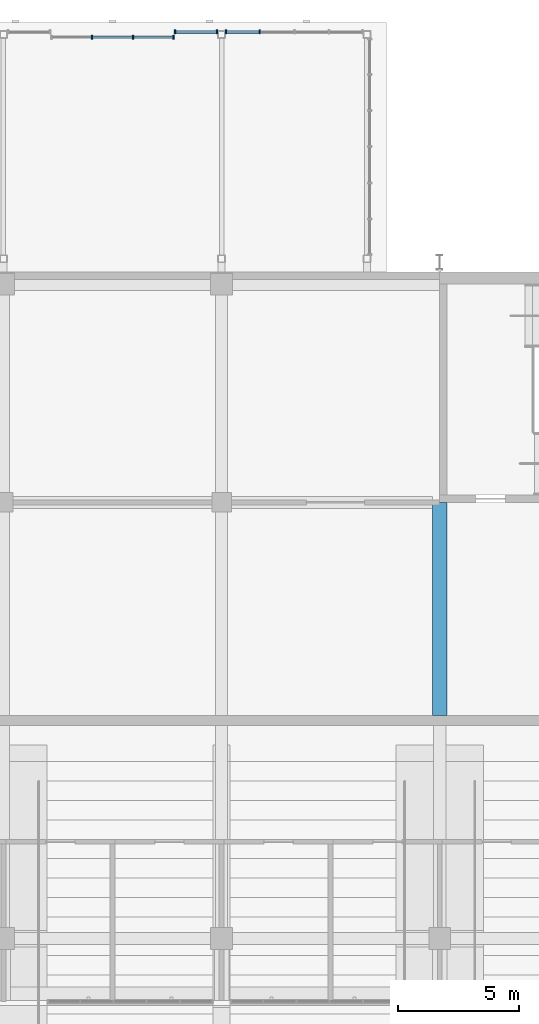
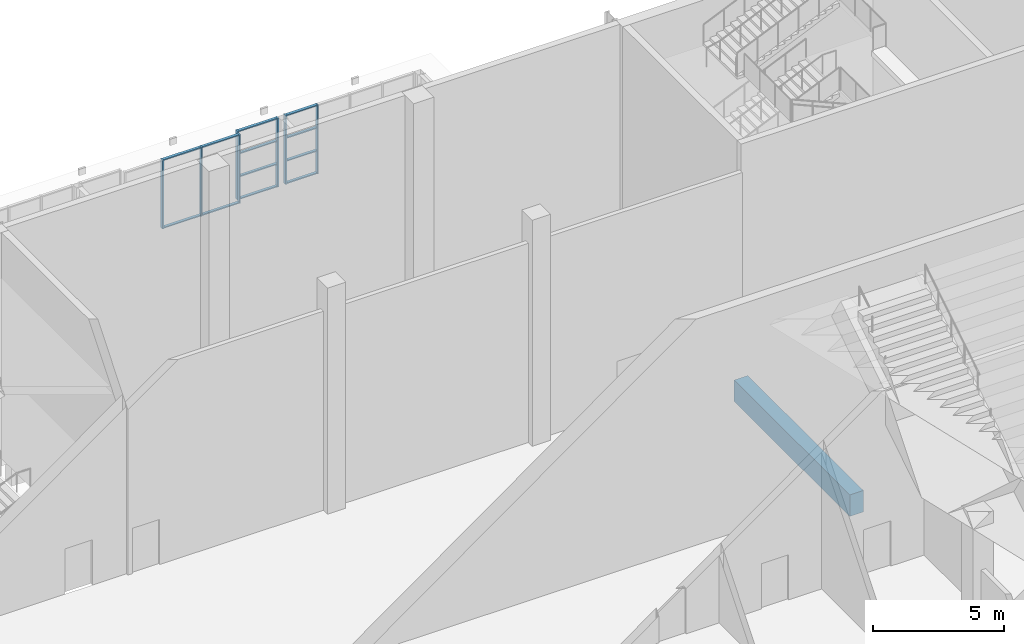
# One storey, part 59 of 182: 19 members, 1 beam, 3 elements without a shape of their own.
"""IFC4 building model written with IfcOpenShell, lengths in metres."""

import ifcopenshell
import ifcopenshell.guid

model = None  # the IFC model being written
_history = None  # IfcOwnerHistory: only IFC2X3 demands one
_inside = {}  # id of a spatial element -> (the spatial element, [elements in it])
_under = {}  # id of a project, library or spatial element -> (it, [spatial elements below it])
_declared = {}  # id of a project -> (the project, [libraries it declares])
_typed = {}  # id of a type object -> (the type object, [elements of that type])
_made_of = {}  # id of a material, layer set ... -> (it, [elements and type objects made of it])


def new_model(schema):
    """Start an empty IFC model of exactly this schema.

    Asked for "IFC4X3", IfcOpenShell would pick the latest addendum, in which some entities
    have other attributes; the version numbers below select the first issue.
    IFC2X3 requires an IfcOwnerHistory on every rooted entity: one is made here for all.
    """
    global model, _history
    if schema == "IFC4X3":
        model = ifcopenshell.file(schema_version=(4, 3, 0, 0))
    else:
        model = ifcopenshell.file(schema=schema)
    _inside.clear()
    _under.clear()
    _declared.clear()
    _typed.clear()
    _made_of.clear()
    _history = None
    if model.schema == "IFC2X3":
        org = make("IfcOrganization", Name="unknown")
        user = make(
            "IfcPersonAndOrganization",
            ThePerson=make("IfcPerson", FamilyName="unknown"),
            TheOrganization=org,
        )
        app = make(
            "IfcApplication",
            ApplicationDeveloper=org,
            Version="unknown",
            ApplicationFullName="unknown",
            ApplicationIdentifier="unknown",
        )
        _history = make(
            "IfcOwnerHistory",
            OwningUser=user,
            OwningApplication=app,
            ChangeAction="ADDED",
            CreationDate=0,
        )
    return model


def make(cls, **values):
    """One entity of the class cls with the attributes given. An attribute that is None is left unset."""
    return model.create_entity(
        cls, **{name: value for name, value in values.items() if value is not None}
    )


def rooted(cls, **values):
    """An entity with a GlobalId (a new one), such as an element, a storey or a relation."""
    return make(cls, GlobalId=ifcopenshell.guid.new(), OwnerHistory=_history, **values)


def si_unit(unit_type, name, prefix=None):
    """IfcSIUnit, for example si_unit("LENGTHUNIT", "METRE", prefix="MILLI")."""
    return make("IfcSIUnit", UnitType=unit_type, Prefix=prefix, Name=name)


def assignment(units):
    """IfcUnitAssignment: the units of a project."""
    return None if units is None else make("IfcUnitAssignment", Units=units)


def point(xyz):
    """IfcCartesianPoint."""
    return None if xyz is None else make("IfcCartesianPoint", Coordinates=xyz)


def direction(xyz):
    """IfcDirection."""
    return None if xyz is None else make("IfcDirection", DirectionRatios=xyz)


def frame(location, z_axis=None, x_axis=None):
    """IfcAxis2Placement3D, a coordinate frame: its origin and axes. An axis left out is left unset."""
    return make(
        "IfcAxis2Placement3D",
        Location=point(location),
        Axis=direction(z_axis),
        RefDirection=direction(x_axis),
    )


def frame_2d(location, x_axis=None):
    """IfcAxis2Placement2D, a coordinate frame in the plane: its origin and x axis."""
    return make(
        "IfcAxis2Placement2D", Location=point(location), RefDirection=direction(x_axis)
    )


def origin():
    """The frame at (0, 0, 0) with its axes left unset."""
    return frame((0.0, 0.0, 0.0))


def origin_2d():
    """The frame at (0, 0) in the plane with its x axis left unset."""
    return frame_2d((0.0, 0.0))


def place(relative_to, where):
    """IfcLocalPlacement: puts the frame where relative to a parent placement (None: the world)."""
    return make(
        "IfcLocalPlacement", PlacementRelTo=relative_to, RelativePlacement=where
    )


def context(
    kind, dimensions, precision=None, world=None, true_north=None, identifier=None
):
    """IfcGeometricRepresentationContext, for example the 3D "Model" context."""
    return make(
        "IfcGeometricRepresentationContext",
        ContextIdentifier=identifier,
        ContextType=kind,
        CoordinateSpaceDimension=dimensions,
        Precision=precision,
        WorldCoordinateSystem=world,
        TrueNorth=true_north,
    )


def subcontext(parent, identifier, kind, view, scale=None):
    """IfcGeometricRepresentationSubContext, for example "Body" below "Model"."""
    return make(
        "IfcGeometricRepresentationSubContext",
        ContextIdentifier=identifier,
        ContextType=kind,
        ParentContext=parent,
        TargetScale=scale,
        TargetView=view,
    )


def project(units=None, contexts=None):
    """IfcProject with its units and contexts."""
    return rooted(
        "IfcProject",
        Name="project",
        RepresentationContexts=contexts,
        UnitsInContext=assignment(units),
    )


def spatial(cls, under=None, at=None, **own):
    """A site, building, storey or space (cls), placed at a placement, below another one or the project."""
    s = rooted(cls, ObjectPlacement=at, **own)
    if under is not None:
        _under.setdefault(under.id(), (under, []))[1].append(s)
    return s


def profile(cls, at=None, kind="AREA", **sizes):
    """A parametric profile (cls). Its sizes go by their IFC names, for example OverallWidth=200.0."""
    return make(cls, ProfileType=kind, Position=at, **sizes)


def rectangle(**sizes):
    """IfcRectangleProfileDef."""
    return profile("IfcRectangleProfileDef", **sizes)


def extrude(swept, where, along, depth):
    """IfcExtrudedAreaSolid: the profile swept, set in the frame where, extruded along a direction by depth."""
    return make(
        "IfcExtrudedAreaSolid",
        SweptArea=swept,
        Position=where,
        ExtrudedDirection=direction(along),
        Depth=depth,
    )


def shape(context_of_items, identifier, shape_type, items):
    """IfcShapeRepresentation: the items that make up one representation, for example the "Body"."""
    return make(
        "IfcShapeRepresentation",
        ContextOfItems=context_of_items,
        RepresentationIdentifier=identifier,
        RepresentationType=shape_type,
        Items=items,
    )


def material(Name=None, Category=None):
    """IfcMaterial."""
    return make("IfcMaterial", Name=Name, Category=Category)


def material_profile(
    of_material, cross_section, Name=None, Category=None, Priority=None
):
    """IfcMaterialProfile: a cross section and its material."""
    return make(
        "IfcMaterialProfile",
        Name=Name,
        Material=of_material,
        Profile=cross_section,
        Priority=Priority,
        Category=Category,
    )


def profile_set(profiles, Name=None, composite=None):
    """IfcMaterialProfileSet."""
    return make(
        "IfcMaterialProfileSet",
        Name=Name,
        MaterialProfiles=profiles,
        CompositeProfile=composite,
    )


def made_of(thing, what):
    """Note that an element or type object is made of a material, layer set ...; save() writes the relation."""
    if what is not None:
        _made_of.setdefault(what.id(), (what, []))[1].append(thing)
    return thing


def type_object(cls, material=None, **own):
    """A type object (cls), such as IfcWallType, which elements share."""
    return made_of(rooted(cls, **own), material)


def element(
    cls,
    number,
    at=None,
    inside=None,
    cuts=None,
    type_object=None,
    material=None,
    context=None,
    identifier="Body",
    shape_type=None,
    held_by="IfcProductDefinitionShape",
    body=None,
    shapes=None,
    **own,
):
    """One element of the class cls, such as IfcWall. Its Tag is "e" and its number.

    at: its placement. inside: the storey or other place that contains it. cuts: it is an
    opening in that element (IfcRelVoidsElement). A single representation is given by context,
    identifier, shape_type and body (its items); several are given by shapes. held_by: the class
    of the entity that holds the representations. save() writes the other relations.
    """
    e = rooted(cls, Tag="e%d" % number, ObjectPlacement=at, **own)
    if body is not None:
        shapes = [shape(context, identifier, shape_type, body)]
    if shapes is not None:
        e.Representation = make(held_by, Representations=shapes)
    if inside is not None:
        _inside.setdefault(inside.id(), (inside, []))[1].append(e)
    if cuts is not None:
        rooted(
            "IfcRelVoidsElement", RelatingBuildingElement=cuts, RelatedOpeningElement=e
        )
    if type_object is not None:
        _typed.setdefault(type_object.id(), (type_object, []))[1].append(e)
    return made_of(e, material)


def aggregate(whole, parts):
    """IfcRelAggregates: a whole, such as a stair, and the parts it consists of."""
    return rooted("IfcRelAggregates", RelatingObject=whole, RelatedObjects=parts)


def save(model, path):
    """Write the relations noted so far, then the file.

    IfcRelAggregates (storeys below a building ...), IfcRelContainedInSpatialStructure (elements
    in a storey), IfcRelDefinesByType, IfcRelAssociatesMaterial and IfcRelDeclares: one each for
    every whole, place, type object, material and project.
    """
    for whole, parts in _under.values():
        aggregate(whole, parts)
    for where, things in _inside.values():
        rooted(
            "IfcRelContainedInSpatialStructure",
            RelatedElements=things,
            RelatingStructure=where,
        )
    for kind, things in _typed.values():
        rooted("IfcRelDefinesByType", RelatedObjects=things, RelatingType=kind)
    for what, things in _made_of.values():
        rooted("IfcRelAssociatesMaterial", RelatedObjects=things, RelatingMaterial=what)
    for by, libraries in _declared.values():
        rooted("IfcRelDeclares", RelatingContext=by, RelatedDefinitions=libraries)
    model.write(path)


model = new_model("IFC4")

# Units and contexts
model_context = context("Model", 3, precision=1e-05, world=origin(), true_north=direction((0.0, 1.0)))
body_context = subcontext(model_context, "Body", "Model", "MODEL_VIEW")
ifc_project = project(units=[si_unit("LENGTHUNIT", "METRE"), si_unit("AREAUNIT", "SQUARE_METRE"), si_unit("VOLUMEUNIT", "CUBIC_METRE"), si_unit("PLANEANGLEUNIT", "RADIAN"), si_unit("MASSUNIT", "GRAM", prefix="KILO")], contexts=[model_context])

# Site, building, storey
site_placement = place(None, origin())
site = spatial("IfcSite", under=ifc_project, at=site_placement, CompositionType="ELEMENT")
building_placement = place(site_placement, origin())
building = spatial("IfcBuilding", under=site, at=building_placement, Name="Silverbay Arena", CompositionType="ELEMENT")
storey_placement = place(building_placement, frame((0.0, 0.0, 11.5)))
storey = spatial("IfcBuildingStorey", under=building, at=storey_placement, Name="L02", CompositionType="ELEMENT", Elevation=11.5)

# Curtain wall, members
ifc_material_1 = material(Name="Aluminium framed curtain wall", Category="aluminium")
curtain_wall_type_1 = type_object("IfcCurtainWallType", Name="Curtain wall 1800 x 3200", PredefinedType="NOTDEFINED", material=ifc_material_1)
curtain_wall_1_placement = place(storey_placement, origin())
curtain_wall_1 = element("IfcCurtainWall", 1, at=curtain_wall_1_placement, inside=storey, type_object=curtain_wall_type_1, Name="North entrance hall N1 glazing F1b", PredefinedType="NOTDEFINED")
ifc_material_2 = material(Name="Aluminium", Category="aluminium")
ifc_material_profile_1 = material_profile(ifc_material_2, rectangle(XDim=0.159912109375, YDim=0.06005859375, at=origin_2d()), Name="Mullion 60 x 160")
ifc_profile_set_1 = profile_set([ifc_material_profile_1], Name="Aluminium")
member_type_1 = type_object("IfcMemberType", Name="Mullion 60 x 160", PredefinedType="MULLION", material=ifc_profile_set_1)
member_1_placement = place(storey_placement, frame((133.080078125, 154.409912109375, 0.0), z_axis=(0.0, 0.0, 1.0), x_axis=(0.0, 1.0, 0.0)))
member_1 = element("IfcMember", 2, at=member_1_placement, type_object=member_type_1, Name="CW45 mullion 1", PredefinedType="MULLION", context=body_context, shape_type="SweptSolid", body=[
    extrude(rectangle(XDim=0.159912109375, YDim=0.06005859375, at=origin_2d()), origin(), (0.0, 0.0, 1.0), 3.199951171875),
])
member_2_placement = place(storey_placement, frame((134.820068359375, 154.409912109375, 0.0), z_axis=(0.0, 0.0, 1.0), x_axis=(0.0, 1.0, 0.0)))
member_2 = element("IfcMember", 3, at=member_2_placement, type_object=member_type_1, Name="CW45 mullion 2", PredefinedType="MULLION", context=body_context, shape_type="SweptSolid", body=[
    extrude(rectangle(XDim=0.159912109375, YDim=0.06005859375, at=origin_2d()), origin(), (0.0, 0.0, 1.0), 3.199951171875),
])

ifc_material_3 = material(Name="Aluminium framed curtain wall", Category="aluminium")
curtain_wall_type_2 = type_object("IfcCurtainWallType", Name="Curtain wall 5700 x 3200", PredefinedType="NOTDEFINED", material=ifc_material_3)
curtain_wall_2_placement = place(storey_placement, origin())
curtain_wall_2 = element("IfcCurtainWall", 4, at=curtain_wall_2_placement, inside=storey, type_object=curtain_wall_type_2, Name="North entrance hall N1 glazing F2", PredefinedType="NOTDEFINED")
member_3_placement = place(storey_placement, frame((135.179931640625, 154.409912109375, 0.0), z_axis=(0.0, 0.0, 1.0), x_axis=(0.0, 1.0, 0.0)))
member_3 = element("IfcMember", 5, at=member_3_placement, type_object=member_type_1, Name="CW43 mullion 1", PredefinedType="MULLION", context=body_context, shape_type="SweptSolid", body=[
    extrude(rectangle(XDim=0.159912109375, YDim=0.06005859375, at=origin_2d()), origin(), (0.0, 0.0, 1.0), 3.199951171875),
])
member_4_placement = place(storey_placement, frame((136.574951171875, 154.409912109375, 0.0), z_axis=(0.0, 0.0, 1.0), x_axis=(0.0, 1.0, 0.0)))
member_4 = element("IfcMember", 6, at=member_4_placement, type_object=member_type_1, Name="CW43 mullion 2", PredefinedType="MULLION", context=body_context, shape_type="SweptSolid", body=[
    extrude(rectangle(XDim=0.159912109375, YDim=0.06005859375, at=origin_2d()), origin(), (0.0, 0.0, 1.0), 3.199951171875),
])

ifc_material_4 = material(Name="Aluminium framed curtain wall", Category="aluminium")
curtain_wall_type_3 = type_object("IfcCurtainWallType", Name="Curtain wall 5100 x 3200", PredefinedType="NOTDEFINED", material=ifc_material_4)
curtain_wall_3_placement = place(storey_placement, origin())
curtain_wall_3 = element("IfcCurtainWall", 7, at=curtain_wall_3_placement, inside=storey, type_object=curtain_wall_type_3, Name="North entrance hall N1 glazing over the door", PredefinedType="NOTDEFINED")
member_5_placement = place(storey_placement, frame((133.02001953125, 154.18994140625, 0.0), z_axis=(0.0, 0.0, 1.0), x_axis=(0.0, -1.0, 0.0)))
member_5 = element("IfcMember", 8, at=member_5_placement, type_object=member_type_1, Name="CW48 mullion 1", PredefinedType="MULLION", context=body_context, shape_type="SweptSolid", body=[
    extrude(rectangle(XDim=0.159912109375, YDim=0.06005859375, at=origin_2d()), origin(), (0.0, 0.0, 1.0), 3.199951171875),
])
member_6_placement = place(storey_placement, frame((131.35009765625, 154.18994140625, 0.0), z_axis=(0.0, 0.0, 1.0), x_axis=(0.0, -1.0, 0.0)))
member_6 = element("IfcMember", 9, at=member_6_placement, type_object=member_type_1, Name="CW48 mullion 2", PredefinedType="MULLION", context=body_context, shape_type="SweptSolid", body=[
    extrude(rectangle(XDim=0.159912109375, YDim=0.06005859375, at=origin_2d()), origin(), (0.0, 0.0, 1.0), 3.199951171875),
])
member_7_placement = place(storey_placement, frame((129.64990234375, 154.18994140625, 0.0), z_axis=(0.0, 0.0, 1.0), x_axis=(0.0, -1.0, 0.0)))
member_7 = element("IfcMember", 10, at=member_7_placement, type_object=member_type_1, Name="CW48 mullion 3", PredefinedType="MULLION", context=body_context, shape_type="SweptSolid", body=[
    extrude(rectangle(XDim=0.159912109375, YDim=0.06005859375, at=origin_2d()), origin(), (0.0, 0.0, 1.0), 3.199951171875),
])

# Beam
ifc_material_5 = material(Name="Concrete Grade C45", Category="concrete")
ifc_material_profile_2 = material_profile(ifc_material_5, rectangle(XDim=0.60009765625, YDim=1.0, at=origin_2d()), Name="RC 600x1000")
ifc_profile_set_2 = profile_set([ifc_material_profile_2], Name="Concrete Grade C45")
beam_type = type_object("IfcBeamType", Name="RC beam 600x1000", PredefinedType="BEAM", material=ifc_profile_set_2)
beam_placement = place(storey_placement, frame((144.0, 126.199951171875, -0.85009765625), z_axis=(0.0, 1.0, 0.0), x_axis=(-1.0, 0.0, 0.0)))
element("IfcBeam", 11, at=beam_placement, inside=storey, type_object=beam_type, Name="Floor beam L02 286", PredefinedType="BEAM", context=body_context, shape_type="SweptSolid", body=[
    extrude(rectangle(XDim=0.60009765625, YDim=1.0, at=origin_2d()), origin(), (0.0, 0.0, 1.0), 8.800048828125),
])

# Member
ifc_material_6 = material(Name="Aluminium", Category="aluminium")
ifc_material_profile_3 = material_profile(ifc_material_6, rectangle(XDim=0.1201171875, YDim=0.050048828125, at=origin_2d()), Name="Transom 50 x 120")
ifc_profile_set_3 = profile_set([ifc_material_profile_3], Name="Aluminium")
member_type_2 = type_object("IfcMemberType", Name="Transom 50 x 120", PredefinedType="USERDEFINED", material=ifc_profile_set_3)
member_8_placement = place(storey_placement, frame((133.110107421875, 154.409912109375, 0.02490234375), z_axis=(1.0, 0.0, 0.0), x_axis=(0.0, 1.0, 0.0)))
member_8 = element("IfcMember", 12, at=member_8_placement, type_object=member_type_2, Name="CW45 transom 1.1", ObjectType="TRANSOM", PredefinedType="USERDEFINED", context=body_context, shape_type="SweptSolid", body=[
    extrude(rectangle(XDim=0.1201171875, YDim=0.050048828125, at=origin_2d()), origin(), (0.0, 0.0, 1.0), 1.679931640625),
])

member_9_placement = place(storey_placement, frame((133.110107421875, 154.409912109375, 1.066650390625), z_axis=(1.0, 0.0, 0.0), x_axis=(0.0, 1.0, 0.0)))
member_9 = element("IfcMember", 13, at=member_9_placement, type_object=member_type_2, Name="CW45 transom 1.2", ObjectType="TRANSOM", PredefinedType="USERDEFINED", context=body_context, shape_type="SweptSolid", body=[
    extrude(rectangle(XDim=0.1201171875, YDim=0.050048828125, at=origin_2d()), origin(), (0.0, 0.0, 1.0), 1.679931640625),
])

member_10_placement = place(storey_placement, frame((133.110107421875, 154.409912109375, 2.13330078125), z_axis=(1.0, 0.0, 0.0), x_axis=(0.0, 1.0, 0.0)))
member_10 = element("IfcMember", 14, at=member_10_placement, type_object=member_type_2, Name="CW45 transom 1.3", ObjectType="TRANSOM", PredefinedType="USERDEFINED", context=body_context, shape_type="SweptSolid", body=[
    extrude(rectangle(XDim=0.1201171875, YDim=0.050048828125, at=origin_2d()), origin(), (0.0, 0.0, 1.0), 1.679931640625),
])

member_11_placement = place(storey_placement, frame((133.110107421875, 154.409912109375, 3.175048828125), z_axis=(1.0, 0.0, 0.0), x_axis=(0.0, 1.0, 0.0)))
member_11 = element("IfcMember", 15, at=member_11_placement, type_object=member_type_2, Name="CW45 transom 1.4", ObjectType="TRANSOM", PredefinedType="USERDEFINED", context=body_context, shape_type="SweptSolid", body=[
    extrude(rectangle(XDim=0.1201171875, YDim=0.050048828125, at=origin_2d()), origin(), (0.0, 0.0, 1.0), 1.679931640625),
])

aggregate(curtain_wall_1, [member_1, member_2, member_8, member_9, member_10, member_11])

member_12_placement = place(storey_placement, frame((135.2099609375, 154.409912109375, 0.02490234375), z_axis=(1.0, 0.0, 0.0), x_axis=(0.0, 1.0, 0.0)))
member_12 = element("IfcMember", 16, at=member_12_placement, type_object=member_type_2, Name="CW43 transom 1.1", ObjectType="TRANSOM", PredefinedType="USERDEFINED", context=body_context, shape_type="SweptSolid", body=[
    extrude(rectangle(XDim=0.1201171875, YDim=0.050048828125, at=origin_2d()), origin(), (0.0, 0.0, 1.0), 1.3349609375),
])

member_13_placement = place(storey_placement, frame((135.2099609375, 154.409912109375, 1.066650390625), z_axis=(1.0, 0.0, 0.0), x_axis=(0.0, 1.0, 0.0)))
member_13 = element("IfcMember", 17, at=member_13_placement, type_object=member_type_2, Name="CW43 transom 1.2", ObjectType="TRANSOM", PredefinedType="USERDEFINED", context=body_context, shape_type="SweptSolid", body=[
    extrude(rectangle(XDim=0.1201171875, YDim=0.050048828125, at=origin_2d()), origin(), (0.0, 0.0, 1.0), 1.3349609375),
])

member_14_placement = place(storey_placement, frame((135.2099609375, 154.409912109375, 2.13330078125), z_axis=(1.0, 0.0, 0.0), x_axis=(0.0, 1.0, 0.0)))
member_14 = element("IfcMember", 18, at=member_14_placement, type_object=member_type_2, Name="CW43 transom 1.3", ObjectType="TRANSOM", PredefinedType="USERDEFINED", context=body_context, shape_type="SweptSolid", body=[
    extrude(rectangle(XDim=0.1201171875, YDim=0.050048828125, at=origin_2d()), origin(), (0.0, 0.0, 1.0), 1.3349609375),
])

member_15_placement = place(storey_placement, frame((135.2099609375, 154.409912109375, 3.175048828125), z_axis=(1.0, 0.0, 0.0), x_axis=(0.0, 1.0, 0.0)))
member_15 = element("IfcMember", 19, at=member_15_placement, type_object=member_type_2, Name="CW43 transom 1.4", ObjectType="TRANSOM", PredefinedType="USERDEFINED", context=body_context, shape_type="SweptSolid", body=[
    extrude(rectangle(XDim=0.1201171875, YDim=0.050048828125, at=origin_2d()), origin(), (0.0, 0.0, 1.0), 1.3349609375),
])

aggregate(curtain_wall_2, [member_3, member_4, member_12, member_13, member_14, member_15])

member_16_placement = place(storey_placement, frame((132.989990234375, 154.18994140625, 0.02490234375), z_axis=(-1.0, 0.0, 0.0), x_axis=(0.0, -1.0, 0.0)))
member_16 = element("IfcMember", 20, at=member_16_placement, type_object=member_type_2, Name="CW48 transom 1.1", ObjectType="TRANSOM", PredefinedType="USERDEFINED", context=body_context, shape_type="SweptSolid", body=[
    extrude(rectangle(XDim=0.1201171875, YDim=0.050048828125, at=origin_2d()), origin(), (0.0, 0.0, 1.0), 1.610107421875),
])

member_17_placement = place(storey_placement, frame((132.989990234375, 154.18994140625, 3.175048828125), z_axis=(-1.0, 0.0, 0.0), x_axis=(0.0, -1.0, 0.0)))
member_17 = element("IfcMember", 21, at=member_17_placement, type_object=member_type_2, Name="CW48 transom 1.2", ObjectType="TRANSOM", PredefinedType="USERDEFINED", context=body_context, shape_type="SweptSolid", body=[
    extrude(rectangle(XDim=0.1201171875, YDim=0.050048828125, at=origin_2d()), origin(), (0.0, 0.0, 1.0), 1.610107421875),
])

member_18_placement = place(storey_placement, frame((131.320068359375, 154.18994140625, 0.02490234375), z_axis=(-1.0, 0.0, 0.0), x_axis=(0.0, -1.0, 0.0)))
member_18 = element("IfcMember", 22, at=member_18_placement, type_object=member_type_2, Name="CW48 transom 2.1", ObjectType="TRANSOM", PredefinedType="USERDEFINED", context=body_context, shape_type="SweptSolid", body=[
    extrude(rectangle(XDim=0.1201171875, YDim=0.050048828125, at=origin_2d()), origin(), (0.0, 0.0, 1.0), 1.64013671875),
])

member_19_placement = place(storey_placement, frame((131.320068359375, 154.18994140625, 3.175048828125), z_axis=(-1.0, 0.0, 0.0), x_axis=(0.0, -1.0, 0.0)))
member_19 = element("IfcMember", 23, at=member_19_placement, type_object=member_type_2, Name="CW48 transom 2.2", ObjectType="TRANSOM", PredefinedType="USERDEFINED", context=body_context, shape_type="SweptSolid", body=[
    extrude(rectangle(XDim=0.1201171875, YDim=0.050048828125, at=origin_2d()), origin(), (0.0, 0.0, 1.0), 1.64013671875),
])

aggregate(curtain_wall_3, [member_5, member_6, member_7, member_16, member_17, member_18, member_19])

save(model, "model.ifc")
